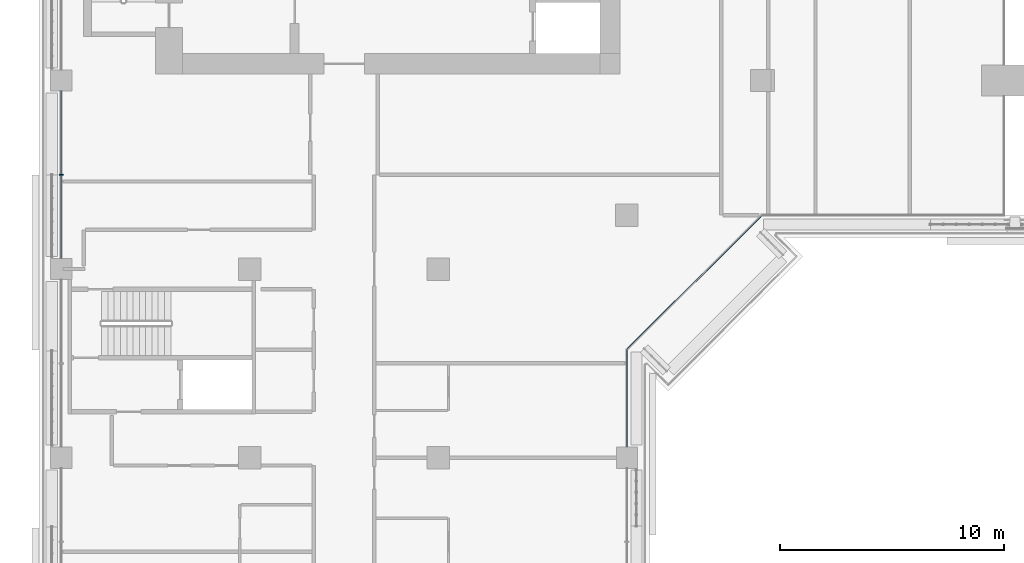
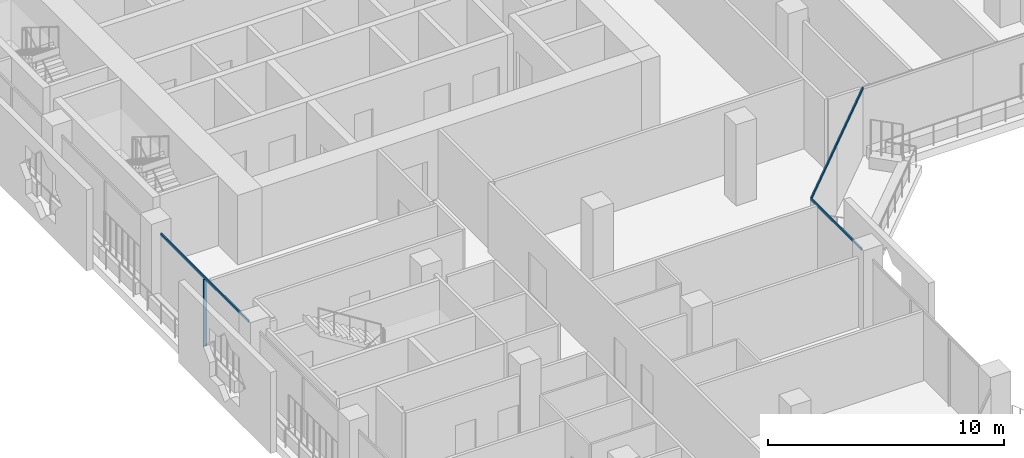
# One storey, part 3 of 24: 5 members, 3 elements without a shape of their own.
"""IFC4 building model written with IfcOpenShell, lengths in metres."""

from ifc_helpers import new_model, si_unit, direction, frame, origin, origin_2d, place, context, subcontext, project, spatial, rectangle, extrude, material, layer, layer_set, material_profile, profile_set, type_object, element, aggregate, save


model = new_model("IFC4")

# Units and contexts
model_context = context("Model", 3, precision=1e-05, world=origin(), true_north=direction((0.0, 1.0)))
body_context = subcontext(model_context, "Body", "Model", "MODEL_VIEW")
ifc_project = project(units=[si_unit("LENGTHUNIT", "METRE"), si_unit("AREAUNIT", "SQUARE_METRE"), si_unit("VOLUMEUNIT", "CUBIC_METRE"), si_unit("PLANEANGLEUNIT", "RADIAN"), si_unit("MASSUNIT", "GRAM", prefix="KILO")], contexts=[model_context])

# Site, building, storey
site_placement = place(None, origin())
site = spatial("IfcSite", under=ifc_project, at=site_placement, CompositionType="ELEMENT")
building_placement = place(site_placement, origin())
building = spatial("IfcBuilding", under=site, at=building_placement, Name="Kawkab Arch Medical Tower", CompositionType="ELEMENT")
storey_placement = place(building_placement, frame((0.0, 0.0, 162.60009765625)))
storey = spatial("IfcBuildingStorey", under=building, at=storey_placement, Name="L37", CompositionType="ELEMENT", Elevation=162.60009765625)

# Curtain wall, members
ifc_material_1 = material(Name="Bronze anodised aluminium curtain wall frame", Category="aluminium")
ifc_layer_1 = layer(ifc_material_1, 0.159912109375)
ifc_layer_set_1 = layer_set([ifc_layer_1], Name="Bronze anodised aluminium curtain wall frame")
curtain_wall_type_1 = type_object("IfcCurtainWallType", Name="CW1 ward curtain wall", PredefinedType="NOTDEFINED", material=ifc_layer_set_1)
placement = place(storey_placement, origin())
curtain_wall_1 = element("IfcCurtainWall", 1, at=placement, inside=storey, type_object=curtain_wall_type_1, Name="CW1 Ward curtain wall R11", PredefinedType="NOTDEFINED")
ifc_material_2 = material(Name="Bronze anodised aluminium curtain wall frame", Category="aluminium")
ifc_material_profile_1 = material_profile(ifc_material_2, rectangle(XDim=0.179931640625, YDim=0.06005859375, at=origin_2d()), Name="AL 60x180")
ifc_profile_set_1 = profile_set([ifc_material_profile_1], Name="Bronze anodised aluminium curtain wall frame")
member_type_1 = type_object("IfcMemberType", Name="CW1 mullion 60 x 180", PredefinedType="MULLION", material=ifc_profile_set_1)
member_1_placement = place(storey_placement, frame((0.0, -29.39990234375, 0.0), z_axis=(0.0, 0.0, 1.0), x_axis=(1.0, 0.0, 0.0)))
member_1 = element("IfcMember", 2, at=member_1_placement, type_object=member_type_1, Name="CW1 mullion 3.1", PredefinedType="MULLION", context=body_context, shape_type="SweptSolid", body=[
    extrude(rectangle(XDim=0.179931640625, YDim=0.06005859375, at=origin_2d()), origin(), (0.0, 0.0, 1.0), 3.47998046875),
])
ifc_material_3 = material(Name="Bronze anodised aluminium curtain wall frame", Category="aluminium")
ifc_material_profile_2 = material_profile(ifc_material_3, rectangle(XDim=0.06005859375, YDim=0.1201171875, at=origin_2d()), Name="AL 60x120")
ifc_profile_set_2 = profile_set([ifc_material_profile_2], Name="Bronze anodised aluminium curtain wall frame")
member_type_2 = type_object("IfcMemberType", Name="CW1 transom 120 x 60", PredefinedType="USERDEFINED", material=ifc_profile_set_2)
member_2_placement = place(storey_placement, frame((0.0, -25.675048828125, 3.539794921875), z_axis=(0.0, -1.0, 0.0), x_axis=(1.0, 0.0, 0.0)))
member_2 = element("IfcMember", 3, at=member_2_placement, type_object=member_type_2, Name="CW1 transom 3", ObjectType="TRANSOM", PredefinedType="USERDEFINED", context=body_context, shape_type="SweptSolid", body=[
    extrude(rectangle(XDim=0.06005859375, YDim=0.1201171875, at=origin_2d()), origin(), (0.0, 0.0, 1.0), 7.449951171875),
])
aggregate(curtain_wall_1, [member_2, member_1])

# Curtain wall, member
curtain_wall_2 = element("IfcCurtainWall", 4, at=placement, inside=storey, type_object=curtain_wall_type_1, Name="CW1 Ward curtain wall R15", PredefinedType="NOTDEFINED")
member_3_placement = place(storey_placement, frame((25.199951171875, -41.52490234375, 3.539794921875), z_axis=(0.0, 1.0, 0.0), x_axis=(-1.0, 0.0, 0.0)))
member_3 = element("IfcMember", 5, at=member_3_placement, type_object=member_type_2, Name="CW1 transom 2", ObjectType="TRANSOM", PredefinedType="USERDEFINED", context=body_context, shape_type="SweptSolid", body=[
    extrude(rectangle(XDim=0.06005859375, YDim=0.1201171875, at=origin_2d()), origin(), (0.0, 0.0, 1.0), 4.324951171875),
])
aggregate(curtain_wall_2, [member_3])

# Curtain wall, members
ifc_material_4 = material(Name="Bronze anodised aluminium curtain wall frame", Category="aluminium")
ifc_layer_2 = layer(ifc_material_4, 0.159912109375)
ifc_layer_set_2 = layer_set([ifc_layer_2], Name="Bronze anodised aluminium curtain wall frame")
curtain_wall_type_2 = type_object("IfcCurtainWallType", Name="CW2 chamfer curtain wall", PredefinedType="NOTDEFINED", material=ifc_layer_set_2)
curtain_wall_3 = element("IfcCurtainWall", 6, at=placement, inside=storey, type_object=curtain_wall_type_2, Name="CW2 Chamfer curtain wall R16", PredefinedType="NOTDEFINED")
ifc_material_5 = material(Name="Bronze anodised aluminium curtain wall frame", Category="aluminium")
ifc_material_profile_3 = material_profile(ifc_material_5, rectangle(XDim=0.06005859375, YDim=0.139892578125, at=origin_2d()), Name="AL 60x140")
ifc_profile_set_3 = profile_set([ifc_material_profile_3], Name="Bronze anodised aluminium curtain wall frame")
member_type_3 = type_object("IfcMemberType", Name="CW2 transom 140 x 60", PredefinedType="USERDEFINED", material=ifc_profile_set_3)
member_4_placement = place(storey_placement, frame((25.199951171875, -37.199951171875, 3.52978515625), z_axis=(0.707106781187, 0.707106781187, 0.0), x_axis=(-0.707106781187, 0.707106781187, 0.0)))
member_4 = element("IfcMember", 7, at=member_4_placement, type_object=member_type_3, Name="CW2 transom 1", ObjectType="TRANSOM", PredefinedType="USERDEFINED", context=body_context, shape_type="SweptSolid", body=[
    extrude(rectangle(XDim=0.06005859375, YDim=0.139892578125, at=origin_2d()), origin(), (0.0, 0.0, 1.0), 4.24267578125),
])
member_5_placement = place(storey_placement, frame((28.199951171875, -34.199951171875, 3.52978515625), z_axis=(0.707106781187, 0.707106781187, 0.0), x_axis=(-0.707106781187, 0.707106781187, 0.0)))
member_5 = element("IfcMember", 8, at=member_5_placement, type_object=member_type_3, Name="CW2 transom 2", ObjectType="TRANSOM", PredefinedType="USERDEFINED", context=body_context, shape_type="SweptSolid", body=[
    extrude(rectangle(XDim=0.06005859375, YDim=0.139892578125, at=origin_2d()), origin(), (0.0, 0.0, 1.0), 4.24267578125),
])
aggregate(curtain_wall_3, [member_4, member_5])

save(model, "model.ifc")
